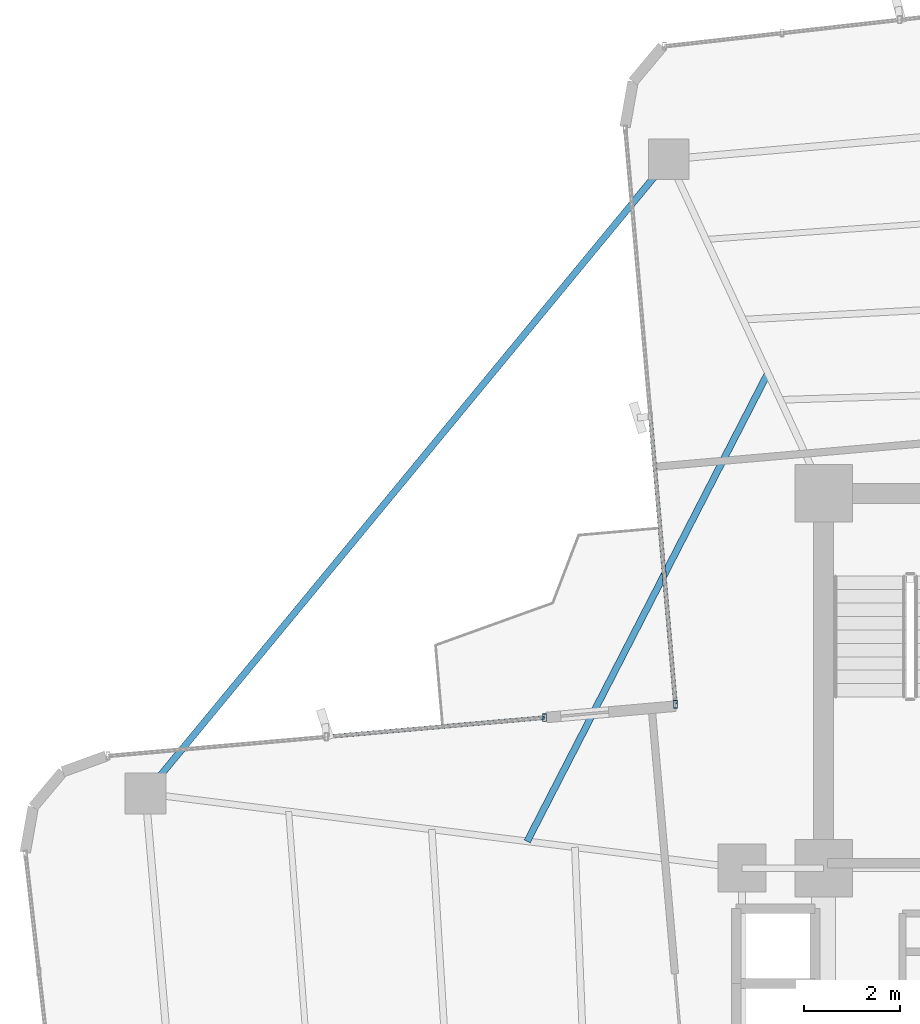
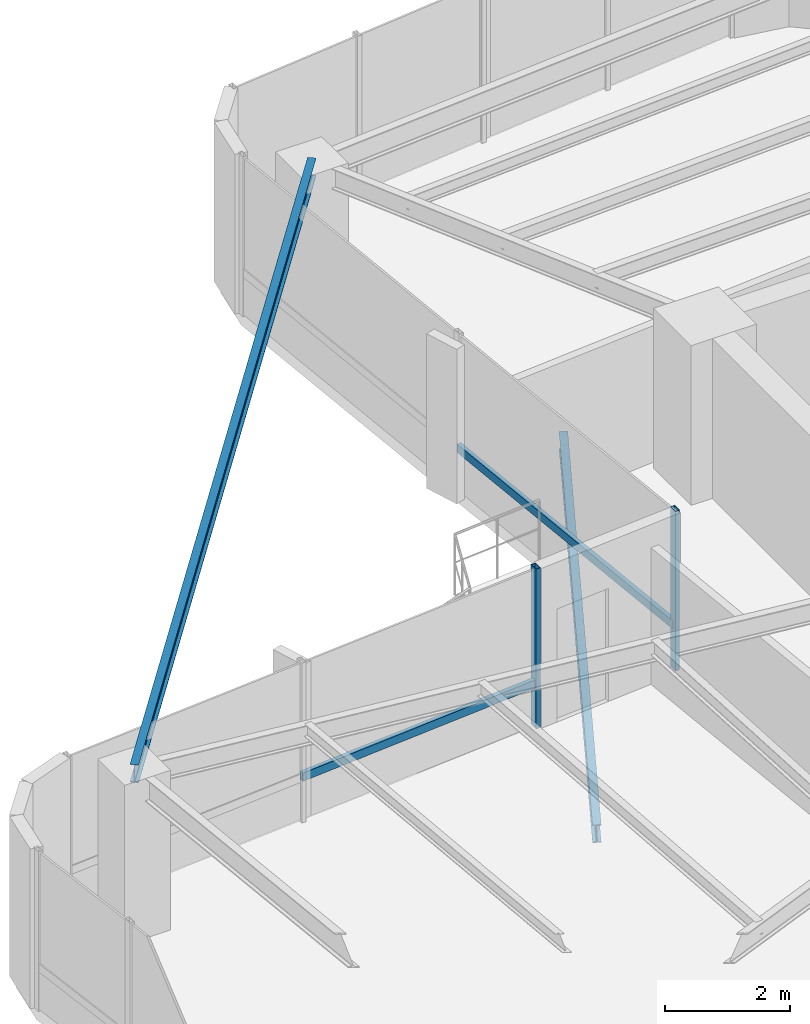
# One storey, part 10 of 24: 4 members, 2 beams, 2 elements without a shape of their own.
"""IFC4 building model written with IfcOpenShell, lengths in metres."""

from ifc_helpers import new_model, si_unit, direction, frame, origin, origin_2d, place, context, subcontext, project, spatial, hollow_rectangle, i_section, extrude, source, transform, mapped, material, material_profile, profile_set, type_object, element, aggregate, save


model = new_model("IFC4")

# Units and contexts
model_context = context("Model", 3, precision=1e-05, world=origin(), true_north=direction((0.0, 1.0)))
body_context = subcontext(model_context, "Body", "Model", "MODEL_VIEW")
ifc_project = project(units=[si_unit("LENGTHUNIT", "METRE"), si_unit("AREAUNIT", "SQUARE_METRE"), si_unit("VOLUMEUNIT", "CUBIC_METRE"), si_unit("PLANEANGLEUNIT", "RADIAN"), si_unit("MASSUNIT", "GRAM", prefix="KILO")], contexts=[model_context])

# Site, building, storey
site_placement = place(None, origin())
site = spatial("IfcSite", under=ifc_project, at=site_placement, CompositionType="ELEMENT")
building_placement = place(site_placement, origin())
building = spatial("IfcBuilding", under=site, at=building_placement, Name="Sahyath Konkavel Grand Hotel", CompositionType="ELEMENT")
storey_placement = place(building_placement, frame((0.0, 0.0, 160.64990234375)))
storey = spatial("IfcBuildingStorey", under=building, at=storey_placement, Name="L44", CompositionType="ELEMENT", Elevation=160.64990234375)

# Beam
ifc_material_1 = material(Name="Steel E350", Category="steel")
ifc_material_profile_1 = material_profile(ifc_material_1, i_section(OverallWidth=0.139892578125, OverallDepth=0.35009765625, WebThickness=0.008056640625, FlangeThickness=0.01416015625, FilletRadius=0.013916015625, at=origin_2d()), Name="ISMB 350")
ifc_profile_set_1 = profile_set([ifc_material_profile_1], Name="Steel E350")
beam_type_1 = type_object("IfcBeamType", Name="BM-ISMB350", PredefinedType="BEAM", material=ifc_profile_set_1)
shared_shape_1 = source(origin(), body_context, "Body", "SweptSolid", [
    extrude(i_section(OverallWidth=0.139892578125, OverallDepth=0.35009765625, WebThickness=0.008056640625, FlangeThickness=0.01416015625, FilletRadius=0.013916015625, at=origin_2d()), origin(), (0.0, 0.0, 1.0), 17.112548828125),
])
beam_1_placement = place(storey_placement, frame((-7.021728515625, 17.1533203125, 2.93505859375), z_axis=(-0.636437070092, -0.77132863023, 0.0), x_axis=(0.77132863023, -0.636437070092, 0.0)))
element("IfcBeam", 1, at=beam_1_placement, inside=storey, type_object=beam_type_1, Name="L44 Re-Entrant Tie Beam NW", PredefinedType="BEAM", context=body_context, shape_type="MappedRepresentation", body=[
    mapped(shared_shape_1, transform((0.0, 0.0, 0.0), scale=1.0)),
])

# Curtain wall, member
ifc_material_2 = material(Name="Anodised Bronze Aluminium & Low-E Glazing", Category="aluminium")
curtain_wall_type = type_object("IfcCurtainWallType", Name="CW-ZONE3", PredefinedType="NOTDEFINED", material=ifc_material_2)
curtain_wall_1_placement = place(storey_placement, origin())
curtain_wall_1 = element("IfcCurtainWall", 2, at=curtain_wall_1_placement, inside=storey, type_object=curtain_wall_type, Name="L44 Unitised Curtain Wall F15", PredefinedType="NOTDEFINED")
ifc_material_3 = material(Name="Anodised Bronze Aluminium", Category="aluminium")
ifc_material_profile_2 = material_profile(ifc_material_3, hollow_rectangle(XDim=0.080078125, YDim=0.159912109375, WallThickness=0.006103515625, at=origin_2d()), Name="RHS 160x80x6")
ifc_profile_set_2 = profile_set([ifc_material_profile_2], Name="Anodised Bronze Aluminium")
member_type_1 = type_object("IfcMemberType", Name="CW-MUL-160", PredefinedType="MULLION", material=ifc_profile_set_2)
shared_shape_2 = source(origin(), body_context, "Body", "SweptSolid", [
    extrude(hollow_rectangle(XDim=0.080078125, YDim=0.159912109375, WallThickness=0.006103515625, at=origin_2d()), origin(), (0.0, 0.0, 1.0), 3.110107421875),
])
member_1_placement = place(storey_placement, frame((-6.8828125, 5.812255859375, 0.0), z_axis=(0.0, 0.0, 1.0), x_axis=(1.0, 0.0, 0.0)))
member_1 = element("IfcMember", 3, at=member_1_placement, type_object=member_type_1, Name="L44 Curtain Wall Mullion F15-2", PredefinedType="MULLION", context=body_context, shape_type="MappedRepresentation", body=[
    mapped(shared_shape_2, transform((0.0, 0.0, 0.0), scale=1.0)),
])

# Curtain wall, members
curtain_wall_2_placement = place(storey_placement, origin())
curtain_wall_2 = element("IfcCurtainWall", 4, at=curtain_wall_2_placement, inside=storey, type_object=curtain_wall_type, Name="L44 Unitised Curtain Wall F16", PredefinedType="NOTDEFINED")
member_2_placement = place(storey_placement, frame((-9.60888671875, 5.53369140625, 0.0), z_axis=(0.0, 0.0, 1.0), x_axis=(1.0, 0.0, 0.0)))
member_2 = element("IfcMember", 5, at=member_2_placement, type_object=member_type_1, Name="L44 Curtain Wall Mullion F16-0", PredefinedType="MULLION", context=body_context, shape_type="MappedRepresentation", body=[
    mapped(shared_shape_2, transform((0.0, 0.0, 0.0), scale=1.0)),
])
ifc_material_profile_3 = material_profile(ifc_material_3, hollow_rectangle(XDim=0.080078125, YDim=0.159912109375, WallThickness=0.006103515625, at=origin_2d()), Name="RHS 160x80x6")
ifc_profile_set_3 = profile_set([ifc_material_profile_3], Name="Anodised Bronze Aluminium")
member_type_2 = type_object("IfcMemberType", Name="CW-TRN-160", PredefinedType="USERDEFINED", material=ifc_profile_set_3)
shared_shape_3 = source(origin(), body_context, "Body", "SweptSolid", [
    extrude(hollow_rectangle(XDim=0.080078125, YDim=0.159912109375, WallThickness=0.006103515625, at=origin_2d()), origin(), (0.0, 0.0, 1.0), 4.56005859375),
])
member_3_placement = place(storey_placement, frame((-9.60888671875, 5.53369140625, 0.85009765625), z_axis=(-0.996189590376, -0.087214104516, 0.0), x_axis=(0.087214104516, -0.996189590376, 0.0)))
member_3 = element("IfcMember", 6, at=member_3_placement, type_object=member_type_2, Name="L44 Curtain Wall Transom F16-0-spandrel", ObjectType="TRANSOM", PredefinedType="USERDEFINED", context=body_context, shape_type="MappedRepresentation", body=[
    mapped(shared_shape_3, transform((0.0, 0.0, 0.0), scale=1.0)),
])
aggregate(curtain_wall_2, [member_2, member_3])

# Member
shared_shape_4 = source(origin(), body_context, "Body", "SweptSolid", [
    extrude(hollow_rectangle(XDim=0.080078125, YDim=0.159912109375, WallThickness=0.006103515625, at=origin_2d()), origin(), (0.0, 0.0, 1.0), 6.010009765625),
])
member_4_placement = place(storey_placement, frame((-7.406494140625, 11.79931640625, 0.85009765625), z_axis=(0.087136210597, -0.996196406741, 0.0), x_axis=(0.996196406741, 0.087136210597, 0.0)))
member_4 = element("IfcMember", 7, at=member_4_placement, type_object=member_type_2, Name="L44 Curtain Wall Transom F15-1-spandrel", ObjectType="TRANSOM", PredefinedType="USERDEFINED", context=body_context, shape_type="MappedRepresentation", body=[
    mapped(shared_shape_4, transform((0.0, 0.0, 0.0), scale=1.0)),
])

aggregate(curtain_wall_1, [member_1, member_4])

# Beam
ifc_material_profile_4 = material_profile(ifc_material_1, i_section(OverallWidth=0.139892578125, OverallDepth=0.35009765625, WebThickness=0.008056640625, FlangeThickness=0.01416015625, FilletRadius=0.013916015625, at=origin_2d()), Name="ISMB 350")
ifc_profile_set_4 = profile_set([ifc_material_profile_4], Name="Steel E350")
beam_type_2 = type_object("IfcBeamType", Name="BM-BALC-CANT", PredefinedType="BEAM", material=ifc_profile_set_4)
shared_shape_5 = source(origin(), body_context, "Body", "SweptSolid", [
    extrude(i_section(OverallWidth=0.139892578125, OverallDepth=0.35009765625, WebThickness=0.008056640625, FlangeThickness=0.01416015625, FilletRadius=0.013916015625, at=origin_2d()), origin(), (0.0, 0.0, 1.0), 10.95556640625),
])
beam_2_placement = place(storey_placement, frame((-4.959716796875, 12.703125, -0.414794921875), z_axis=(-0.457186878355, -0.889370652912, 0.0), x_axis=(0.889370652912, -0.457186878355, 0.0)))
element("IfcBeam", 8, at=beam_2_placement, inside=storey, type_object=beam_type_2, Name="L44 Balcony Cantilever Support Beam NW", PredefinedType="BEAM", context=body_context, shape_type="MappedRepresentation", body=[
    mapped(shared_shape_5, transform((0.0, 0.0, 0.0), scale=1.0)),
])

save(model, "model.ifc")
